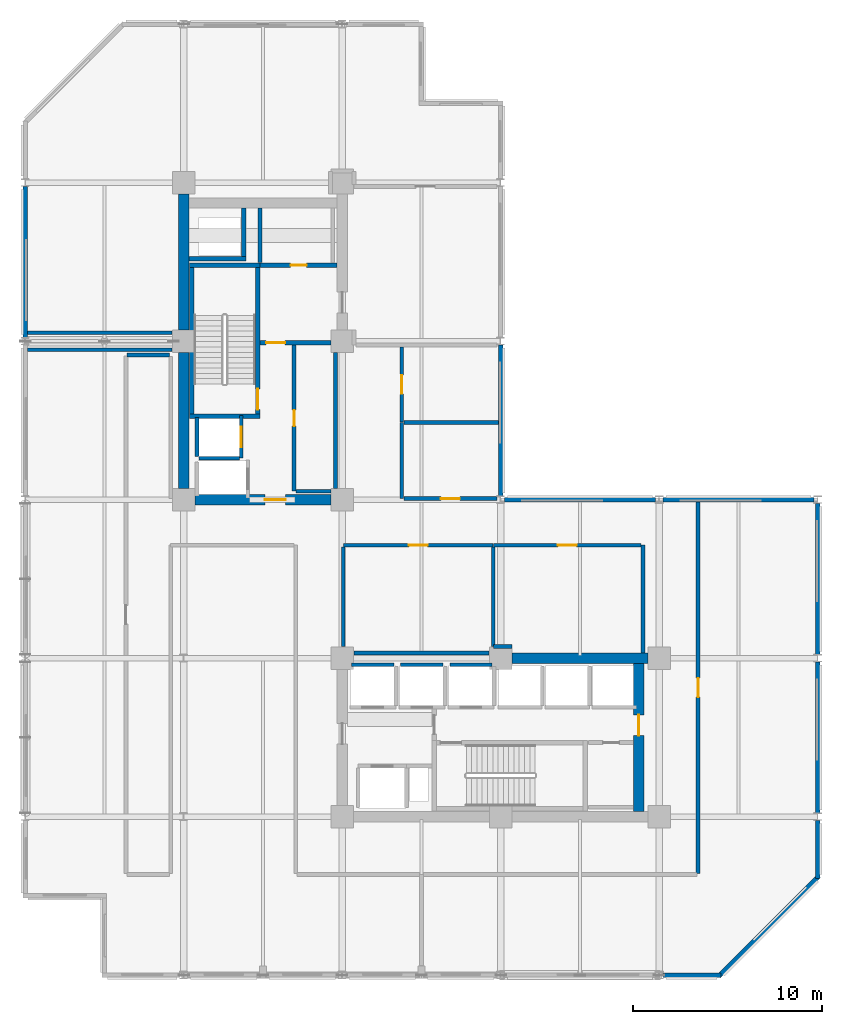
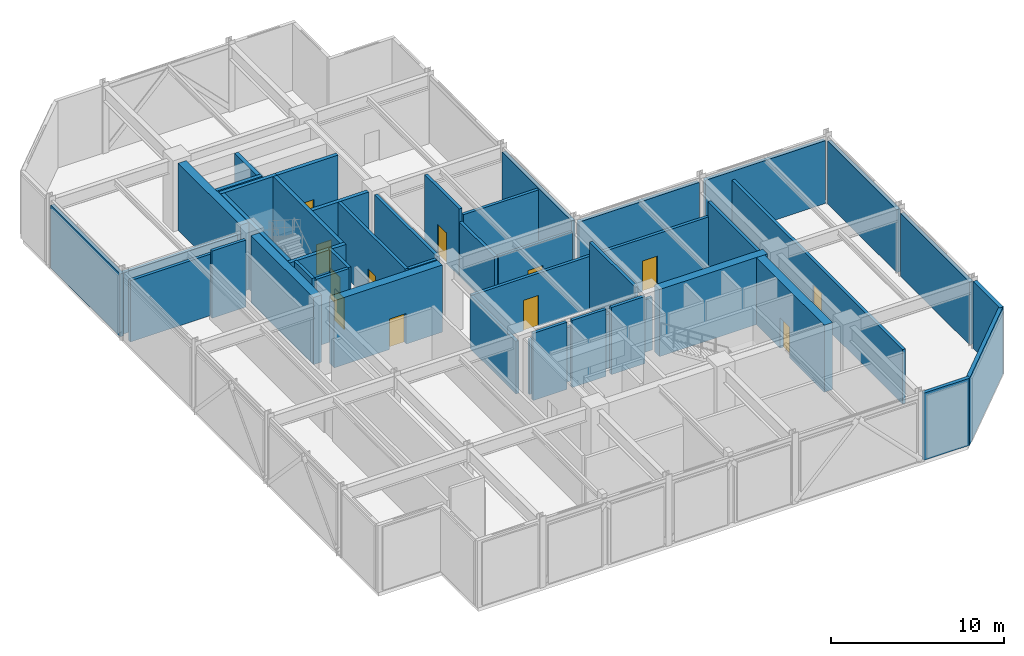
# One storey, part 6 of 10: 47 walls, 12 doors, 12 openings.
"""IFC4 building model written with IfcOpenShell, lengths in metres."""

from ifc_helpers import new_model, si_unit, direction, frame, frame_2d, origin, place, context, subcontext, project, spatial, rectangle, extrude, material, layer, layer_set, type_object, element, fill, save


model = new_model("IFC4")

# Units and contexts
model_context = context("Model", 3, precision=1e-05, world=origin(), true_north=direction((0.0, 1.0)))
body_context = subcontext(model_context, "Body", "Model", "MODEL_VIEW")
ifc_project = project(units=[si_unit("LENGTHUNIT", "METRE"), si_unit("AREAUNIT", "SQUARE_METRE"), si_unit("VOLUMEUNIT", "CUBIC_METRE"), si_unit("PLANEANGLEUNIT", "RADIAN"), si_unit("MASSUNIT", "GRAM", prefix="KILO")], contexts=[model_context])

# Site, building, storey
site_placement = place(None, origin())
site = spatial("IfcSite", under=ifc_project, at=site_placement, CompositionType="ELEMENT")
building_placement = place(site_placement, origin())
building = spatial("IfcBuilding", under=site, at=building_placement, Name="Nerrivon Quay Data Exchange", CompositionType="ELEMENT")
storey_placement = place(building_placement, frame((0.0, 0.0, 162.300048828125)))
storey = spatial("IfcBuildingStorey", under=building, at=storey_placement, Name="L38", CompositionType="ELEMENT", Elevation=162.300048828125)

# Walls
ifc_material_1 = material(Name="Architectural terracotta precast concrete N50 (50 MPa)", Category="masonry")
ifc_layer_1 = layer(ifc_material_1, 0.239990234375)
ifc_layer_set_1 = layer_set([ifc_layer_1], Name="Architectural terracotta precast concrete N50 (50 MPa)")
wall_type_1 = type_object("IfcWallType", Name="EW-PREC-240", PredefinedType="STANDARD", material=ifc_layer_set_1)
wall_1_placement = place(storey_placement, frame((42.052734375, 5.252685546875, 0.0), z_axis=(0.0, 0.0, 1.0), x_axis=(-0.707106781187, -0.707106781187, 0.0)))
element("IfcWall", 1, at=wall_1_placement, inside=storey, type_object=wall_type_1, Name="L38 Plant Enclosure Wall 1", PredefinedType="STANDARD", context=body_context, shape_type="SweptSolid", body=[
    extrude(rectangle(XDim=7.5029296875, YDim=0.239990234375, at=frame_2d((3.75146484375, 0.0))), origin(), (0.0, 0.0, 1.0), 4.724853515625),
])
wall_2_placement = place(storey_placement, frame((36.874755859375, 0.0, 0.0), z_axis=(0.0, 0.0, 1.0), x_axis=(-1.0, 0.0, 0.0)))
element("IfcWall", 2, at=wall_2_placement, inside=storey, type_object=wall_type_1, Name="L38 Plant Enclosure Wall 2", PredefinedType="STANDARD", context=body_context, shape_type="SweptSolid", body=[
    extrude(rectangle(XDim=3.07470703125, YDim=0.239990234375, at=frame_2d((1.537353515625, 0.0))), origin(), (0.0, 0.0, 1.0), 4.724853515625),
])
for number, where, z_axis, x_axis, name in (
    (3, (0.0, 33.800048828125, 0.0), (0.0, 0.0, 1.0), (0.0, 1.0, 0.0), "L38 Plant Enclosure Wall 15"),
    (4, (25.199951171875, 33.39990234375, 0.0), (0.0, 0.0, 1.0), (0.0, -1.0, 0.0), "L38 Plant Enclosure Wall 25"),
    (5, (25.39990234375, 25.199951171875, 0.0), (0.0, 0.0, 1.0), (1.0, 0.0, 0.0), "L38 Plant Enclosure Wall 26"),
    (6, (33.800048828125, 25.199951171875, 0.0), (0.0, 0.0, 1.0), (1.0, 0.0, 0.0), "L38 Plant Enclosure Wall 27"),
    (7, (42.0, 25.0, 0.0), (0.0, 0.0, 1.0), (0.0, -1.0, 0.0), "L38 Plant Enclosure Wall 28"),
    (8, (42.0, 16.60009765625, 0.0), (0.0, 0.0, 1.0), (0.0, -1.0, 0.0), "L38 Plant Enclosure Wall 29"),
):
    element("IfcWall", number, at=place(storey_placement, frame(where, z_axis=z_axis, x_axis=x_axis)), inside=storey, type_object=wall_type_1, Name=name, PredefinedType="STANDARD", context=body_context, shape_type="SweptSolid", body=[
        extrude(rectangle(XDim=8.0, YDim=0.239990234375, at=frame_2d((4.0, 0.0))), origin(), (0.0, 0.0, 1.0), 4.425048828125),
    ])
wall_3_placement = place(storey_placement, frame((42.0, 8.199951171875, 0.0), z_axis=(0.0, 0.0, 1.0), x_axis=(0.0, -1.0, 0.0)))
element("IfcWall", 9, at=wall_3_placement, inside=storey, type_object=wall_type_1, Name="L38 Plant Enclosure Wall 30", PredefinedType="STANDARD", context=body_context, shape_type="SweptSolid", body=[
    extrude(rectangle(XDim=3.07470703125, YDim=0.239990234375, at=frame_2d((1.537353515625, 0.0))), origin(), (0.0, 0.0, 1.0), 4.724853515625),
])
ifc_material_2 = material(Name="Concrete S65 (65 MPa)", Category="concrete")
ifc_layer_2 = layer(ifc_material_2, 0.550048828125)
ifc_layer_set_2 = layer_set([ifc_layer_2], Name="Concrete S65 (65 MPa)")
wall_type_2 = type_object("IfcWallType", Name="WALL-CW-700", PredefinedType="SHEAR", material=ifc_layer_set_2)
for number, where, z_axis, x_axis, name in (
    (10, (8.39990234375, 25.800048828125, 0.0), (0.0, 0.0, 1.0), (0.0, 1.0, 0.0), "L38 West Split-Core Shear Wall WCW-W1"),
    (11, (8.39990234375, 34.199951171875, 0.0), (0.0, 0.0, 1.0), (0.0, 1.0, 0.0), "L38 West Split-Core Shear Wall WCW-W2"),
):
    element("IfcWall", number, at=place(storey_placement, frame(where, z_axis=z_axis, x_axis=x_axis)), inside=storey, type_object=wall_type_2, Name=name, PredefinedType="SHEAR", context=body_context, shape_type="SweptSolid", body=[
        extrude(rectangle(XDim=7.199951171875, YDim=0.550048828125, at=frame_2d((3.60009765625, 0.0))), origin(), (0.0, 0.0, 1.0), 4.724853515625),
    ])

# Wall, opening, door
wall_4_placement = place(storey_placement, frame((9.0, 25.199951171875, 0.0), z_axis=(0.0, 0.0, 1.0), x_axis=(1.0, 0.0, 0.0)))
wall_4 = element("IfcWall", 12, at=wall_4_placement, inside=storey, type_object=wall_type_2, Name="L38 West Split-Core Shear Wall WCW-S1", PredefinedType="SHEAR", context=body_context, shape_type="SweptSolid", body=[
    extrude(rectangle(XDim=7.199951171875, YDim=0.550048828125, at=frame_2d((3.60009765625, 0.0))), origin(), (0.0, 0.0, 1.0), 4.724853515625),
])
opening_1_placement = place(wall_4_placement, frame((3.699951171875, 0.0, 0.0)))
opening_1 = element("IfcOpeningElement", 13, at=opening_1_placement, cuts=wall_4, Name="Opening FD-120", PredefinedType="OPENING", context=body_context, shape_type="SweptSolid", body=[
    extrude(rectangle(XDim=1.10009765625, YDim=2.14990234375, at=frame_2d((0.550048828125, 1.074951171875))), frame((0.0, 0.284912109375, 0.0), z_axis=(0.0, -1.0, 0.0), x_axis=(1.0, 0.0, 0.0)), (0.0, 0.0, 1.0), 0.570068359375),
])
ifc_material_3 = material(Name="Powder-coated galvanized steel sheet", Category="steel")
door_type_1 = type_object("IfcDoorType", Name="DR-FD120-1100", OperationType="NOTDEFINED", PredefinedType="DOOR", material=ifc_material_3)
door_1_placement = place(opening_1_placement, origin())
door_1 = element("IfcDoor", 14, at=door_1_placement, inside=storey, type_object=door_type_1, Name="L38 West Core Lobby Fire Door", OperationType="SINGLE_SWING_LEFT", OverallHeight=2.14990234375, OverallWidth=1.10009765625, PredefinedType="DOOR", context=body_context, shape_type="SweptSolid", body=[
    extrude(rectangle(XDim=1.10009765625, YDim=2.14990234375, at=frame_2d((0.550048828125, 1.074951171875))), frame((0.0, 0.02490234375, 0.0), z_axis=(0.0, -1.0, 0.0), x_axis=(1.0, 0.0, 0.0)), (0.0, 0.0, 1.0), 0.050048828125),
])
fill(opening_1, door_1)

wall_5_placement = place(storey_placement, frame((32.52490234375, 8.675048828125, 0.0), z_axis=(0.0, 0.0, 1.0), x_axis=(0.0, 1.0, 0.0)))
wall_5 = element("IfcWall", 15, at=wall_5_placement, inside=storey, type_object=wall_type_2, Name="L38 East Split-Core Shear Wall ECW-E1", PredefinedType="SHEAR", context=body_context, shape_type="SweptSolid", body=[
    extrude(rectangle(XDim=7.849853515625, YDim=0.550048828125, at=frame_2d((3.9248046875, 0.0))), origin(), (0.0, 0.0, 1.0), 4.724853515625),
])
opening_2_placement = place(wall_5_placement, frame((4.02490234375, 0.0, 0.0)))
opening_2 = element("IfcOpeningElement", 16, at=opening_2_placement, cuts=wall_5, Name="Opening FD-120", PredefinedType="OPENING", context=body_context, shape_type="SweptSolid", body=[
    extrude(rectangle(XDim=1.10009765625, YDim=2.14990234375, at=frame_2d((0.550048828125, 1.074951171875))), frame((0.0, 0.284912109375, 0.0), z_axis=(0.0, -1.0, 0.0), x_axis=(1.0, 0.0, 0.0)), (0.0, 0.0, 1.0), 0.570068359375),
])
door_2_placement = place(opening_2_placement, origin())
door_2 = element("IfcDoor", 17, at=door_2_placement, inside=storey, type_object=door_type_1, Name="L38 East Core Lobby Fire Door", OperationType="SINGLE_SWING_RIGHT", OverallHeight=2.14990234375, OverallWidth=1.10009765625, PredefinedType="DOOR", context=body_context, shape_type="SweptSolid", body=[
    extrude(rectangle(XDim=1.10009765625, YDim=2.14990234375, at=frame_2d((0.550048828125, 1.074951171875))), frame((0.0, 0.02490234375, 0.0), z_axis=(0.0, -1.0, 0.0), x_axis=(1.0, 0.0, 0.0)), (0.0, 0.0, 1.0), 0.050048828125),
])
fill(opening_2, door_2)

# Wall
wall_6_placement = place(storey_placement, frame((25.800048828125, 16.800048828125, 0.0), z_axis=(0.0, 0.0, 1.0), x_axis=(1.0, 0.0, 0.0)))
element("IfcWall", 18, at=wall_6_placement, inside=storey, type_object=wall_type_2, Name="L38 East Split-Core Shear Wall ECW-N1", PredefinedType="SHEAR", context=body_context, shape_type="SweptSolid", body=[
    extrude(rectangle(XDim=7.199951171875, YDim=0.550048828125, at=frame_2d((3.60009765625, 0.0))), origin(), (0.0, 0.0, 1.0), 4.724853515625),
])

# Wall, opening, door
ifc_material_4 = material(Name="Gypsum plasterboard on cold-formed framing", Category="gypsum")
ifc_layer_3 = layer(ifc_material_4, 0.199951171875)
ifc_layer_set_3 = layer_set([ifc_layer_3], Name="Gypsum plasterboard on cold-formed framing")
wall_type_3 = type_object("IfcWallType", Name="WALL-FW-200", PredefinedType="PARTITIONING", material=ifc_layer_set_3)
wall_7_placement = place(storey_placement, frame((11.449951171875, 27.39990234375, 0.0), z_axis=(0.0, 0.0, 1.0), x_axis=(0.0, 1.0, 0.0)))
wall_7 = element("IfcWall", 19, at=wall_7_placement, inside=storey, type_object=wall_type_3, Name="L38 Lift Front Wall FFL-1", PredefinedType="PARTITIONING", context=body_context, shape_type="SweptSolid", body=[
    extrude(rectangle(XDim=2.25, YDim=0.199951171875, at=frame_2d((1.125, 0.0))), origin(), (0.0, 0.0, 1.0), 4.724853515625),
])
opening_3_placement = place(wall_7_placement, frame((0.574951171875, 0.0, 0.0)))
opening_3 = element("IfcOpeningElement", 20, at=opening_3_placement, cuts=wall_7, Name="Opening LD-120", PredefinedType="OPENING", context=body_context, shape_type="SweptSolid", body=[
    extrude(rectangle(XDim=1.10009765625, YDim=2.199951171875, at=frame_2d((0.550048828125, 1.10009765625))), frame((0.0, 0.10986328125, 0.0), z_axis=(0.0, -1.0, 0.0), x_axis=(1.0, 0.0, 0.0)), (0.0, 0.0, 1.0), 0.219970703125),
])
door_type_2 = type_object("IfcDoorType", Name="DR-LIFT-LD120", OperationType="DOUBLE_DOOR_SLIDING", PredefinedType="DOOR", material=ifc_material_3)
door_3_placement = place(opening_3_placement, origin())
door_3 = element("IfcDoor", 21, at=door_3_placement, inside=storey, type_object=door_type_2, Name="L38 Lift Landing Sliding Door FFL-1", OperationType="DOUBLE_DOOR_SLIDING", OverallHeight=2.199951171875, OverallWidth=1.10009765625, PredefinedType="DOOR", context=body_context, shape_type="SweptSolid", body=[
    extrude(rectangle(XDim=1.10009765625, YDim=2.199951171875, at=frame_2d((0.550048828125, 1.10009765625))), frame((0.0, 0.02490234375, 0.0), z_axis=(0.0, -1.0, 0.0), x_axis=(1.0, 0.0, 0.0)), (0.0, 0.0, 1.0), 0.050048828125),
])
fill(opening_3, door_3)

# Walls
wall_8_placement = place(storey_placement, frame((9.10009765625, 27.5, 0.0), z_axis=(0.0, 0.0, 1.0), x_axis=(0.0, 1.0, 0.0)))
element("IfcWall", 22, at=wall_8_placement, inside=storey, type_object=wall_type_3, Name="L38 Lift Shaft Wall FFL-1 WEST", PredefinedType="PARTITIONING", context=body_context, shape_type="SweptSolid", body=[
    extrude(rectangle(XDim=2.050048828125, YDim=0.199951171875, at=frame_2d((1.02490234375, 0.0))), origin(), (0.0, 0.0, 1.0), 4.724853515625),
])
wall_9_placement = place(storey_placement, frame((9.199951171875, 27.39990234375, 0.0), z_axis=(0.0, 0.0, 1.0), x_axis=(1.0, 0.0, 0.0)))
element("IfcWall", 23, at=wall_9_placement, inside=storey, type_object=wall_type_3, Name="L38 Lift Shaft Wall FFL-1 SOUTH", PredefinedType="PARTITIONING", context=body_context, shape_type="SweptSolid", body=[
    extrude(rectangle(XDim=2.150146484375, YDim=0.199951171875, at=frame_2d((1.0751953125, 0.0))), origin(), (0.0, 0.0, 1.0), 4.724853515625),
])
for number, where, z_axis, x_axis, name in (
    (24, (17.300048828125, 16.449951171875, 0.0), (0.0, 0.0, 1.0), (1.0, 0.0, 0.0), "L38 Lift Shaft Wall PL4 NORTH"),
    (25, (19.89990234375, 16.449951171875, 0.0), (0.0, 0.0, 1.0), (1.0, 0.0, 0.0), "L38 Lift Shaft Wall PL5 NORTH"),
    (26, (22.5, 16.449951171875, 0.0), (0.0, 0.0, 1.0), (1.0, 0.0, 0.0), "L38 Lift Shaft Wall PL6 NORTH"),
):
    element("IfcWall", number, at=place(storey_placement, frame(where, z_axis=z_axis, x_axis=x_axis)), inside=storey, type_object=wall_type_3, Name=name, PredefinedType="PARTITIONING", context=body_context, shape_type="SweptSolid", body=[
        extrude(rectangle(XDim=2.25, YDim=0.199951171875, at=frame_2d((1.125, 0.0))), origin(), (0.0, 0.0, 1.0), 4.724853515625),
    ])
wall_10_placement = place(storey_placement, frame((16.449951171875, 25.804931640625, 0.0), z_axis=(0.0, 0.0, 1.0), x_axis=(0.0, 1.0, 0.0)))
element("IfcWall", 27, at=wall_10_placement, inside=storey, type_object=wall_type_3, Name="L38 Partition Telemetry Hub Closet", PredefinedType="PARTITIONING", context=body_context, shape_type="SweptSolid", body=[
    extrude(rectangle(XDim=7.190185546875, YDim=0.199951171875, at=frame_2d((3.59521484375, 0.0))), origin(), (0.0, 0.0, 1.0), 4.724853515625),
])

# Wall, opening, door
wall_11_placement = place(storey_placement, frame((14.25, 33.389892578125, 0.0), z_axis=(0.0, 0.0, 1.0), x_axis=(0.0, -1.0, 0.0)))
wall_11 = element("IfcWall", 28, at=wall_11_placement, inside=storey, type_object=wall_type_3, Name="L38 Partition Telemetry Hub Closet", PredefinedType="PARTITIONING", context=body_context, shape_type="SweptSolid", body=[
    extrude(rectangle(XDim=7.739990234375, YDim=0.199951171875, at=frame_2d((3.8701171875, 0.0))), origin(), (0.0, 0.0, 1.0), 4.724853515625),
])
opening_4_placement = place(wall_11_placement, frame((3.445068359375, 0.0, 0.0)))
opening_4 = element("IfcOpeningElement", 29, at=opening_4_placement, cuts=wall_11, Name="Opening FD-60S", PredefinedType="OPENING", context=body_context, shape_type="SweptSolid", body=[
    extrude(rectangle(XDim=0.85009765625, YDim=2.14990234375, at=frame_2d((0.425048828125, 1.074951171875))), frame((0.0, 0.10986328125, 0.0), z_axis=(0.0, -1.0, 0.0), x_axis=(1.0, 0.0, 0.0)), (0.0, 0.0, 1.0), 0.219970703125),
])
ifc_material_5 = material(Name="Engineered hardwood timber", Category="wood")
door_type_3 = type_object("IfcDoorType", Name="DR-FD60-850", OperationType="NOTDEFINED", PredefinedType="DOOR", material=ifc_material_5)
door_4_placement = place(opening_4_placement, origin())
door_4 = element("IfcDoor", 30, at=door_4_placement, inside=storey, type_object=door_type_3, Name="L38 Door Telemetry Hub Closet", OperationType="SINGLE_SWING_RIGHT", OverallHeight=2.14990234375, OverallWidth=0.85009765625, PredefinedType="DOOR", context=body_context, shape_type="SweptSolid", body=[
    extrude(rectangle(XDim=0.85009765625, YDim=2.14990234375, at=frame_2d((0.425048828125, 1.074951171875))), frame((0.0, 0.02490234375, 0.0), z_axis=(0.0, -1.0, 0.0), x_axis=(1.0, 0.0, 0.0)), (0.0, 0.0, 1.0), 0.050048828125),
])
fill(opening_4, door_4)

# Walls
wall_12_placement = place(storey_placement, frame((14.35400390625, 25.64990234375, 0.0), z_axis=(0.0, 0.0, 1.0), x_axis=(1.0, 0.0, 0.0)))
element("IfcWall", 31, at=wall_12_placement, inside=storey, type_object=wall_type_3, Name="L38 Partition Telemetry Hub Closet", PredefinedType="PARTITIONING", context=body_context, shape_type="SweptSolid", body=[
    extrude(rectangle(XDim=1.841064453125, YDim=0.199951171875, at=frame_2d((0.92041015625, 0.0))), origin(), (0.0, 0.0, 1.0), 4.724853515625),
])
wall_13_placement = place(storey_placement, frame((12.449951171875, 40.64599609375, 0.0), z_axis=(0.0, 0.0, 1.0), x_axis=(0.0, -1.0, 0.0)))
element("IfcWall", 32, at=wall_13_placement, inside=storey, type_object=wall_type_3, Name="L38 Partition Electrical Switchboard Closet", PredefinedType="PARTITIONING", context=body_context, shape_type="SweptSolid", body=[
    extrude(rectangle(XDim=2.865966796875, YDim=0.199951171875, at=frame_2d((1.43310546875, 0.0))), origin(), (0.0, 0.0, 1.0), 3.625),
])
wall_14_placement = place(storey_placement, frame((5.39990234375, 32.860107421875, 0.0), z_axis=(0.0, 0.0, 1.0), x_axis=(1.0, 0.0, 0.0)))
element("IfcWall", 33, at=wall_14_placement, inside=storey, type_object=wall_type_3, Name="L38 Partition Standby Generator Hall", PredefinedType="PARTITIONING", context=body_context, shape_type="SweptSolid", body=[
    extrude(rectangle(XDim=2.25, YDim=0.199951171875, at=frame_2d((1.125, 0.0))), origin(), (0.0, 0.0, 1.0), 4.724853515625),
])
for number, where, z_axis, x_axis, name in (
    (34, (7.780029296875, 33.14990234375, 0.0), (0.0, 0.0, 1.0), (-1.0, 0.0, 0.0), "L38 Partition Standby Generator Hall"),
    (35, (0.1240234375, 34.050048828125, 0.0), (0.0, 0.0, 1.0), (1.0, 0.0, 0.0), "L38 Partition Chiller Plant Room"),
):
    element("IfcWall", number, at=place(storey_placement, frame(where, z_axis=z_axis, x_axis=x_axis)), inside=storey, type_object=wall_type_3, Name=name, PredefinedType="PARTITIONING", context=body_context, shape_type="SweptSolid", body=[
        extrude(rectangle(XDim=7.656005859375, YDim=0.199951171875, at=frame_2d((3.828125, 0.0))), origin(), (0.0, 0.0, 1.0), 4.322021484375),
    ])

# Wall, opening, door
wall_15_placement = place(storey_placement, frame((35.659912109375, 25.075927734375, 0.0), z_axis=(0.0, 0.0, 1.0), x_axis=(0.0, -1.0, 0.0)))
wall_15 = element("IfcWall", 36, at=wall_15_placement, inside=storey, type_object=wall_type_3, Name="L38 Partition Primary AHU Ventilation Room", PredefinedType="PARTITIONING", context=body_context, shape_type="SweptSolid", body=[
    extrude(rectangle(XDim=19.676025390625, YDim=0.199951171875, at=frame_2d((9.837890625, 0.0))), origin(), (0.0, 0.0, 1.0), 3.824951171875),
])
opening_5_placement = place(wall_15_placement, frame((9.337890625, 0.0, 0.0)))
opening_5 = element("IfcOpeningElement", 37, at=opening_5_placement, cuts=wall_15, Name="Opening FD-60", PredefinedType="OPENING", context=body_context, shape_type="SweptSolid", body=[
    extrude(rectangle(XDim=1.0, YDim=2.14990234375, at=frame_2d((0.5, 1.074951171875))), frame((0.0, 0.10986328125, 0.0), z_axis=(0.0, -1.0, 0.0), x_axis=(1.0, 0.0, 0.0)), (0.0, 0.0, 1.0), 0.219970703125),
])
door_type_4 = type_object("IfcDoorType", Name="DR-FD60-1000", OperationType="NOTDEFINED", PredefinedType="DOOR", material=ifc_material_5)
door_5_placement = place(opening_5_placement, origin())
door_5 = element("IfcDoor", 38, at=door_5_placement, inside=storey, type_object=door_type_4, Name="L38 Door Primary AHU Ventilation Room", OperationType="SINGLE_SWING_LEFT", OverallHeight=2.14990234375, OverallWidth=1.0, PredefinedType="DOOR", context=body_context, shape_type="SweptSolid", body=[
    extrude(rectangle(XDim=1.0, YDim=2.14990234375, at=frame_2d((0.5, 1.074951171875))), frame((0.0, 0.02490234375, 0.0), z_axis=(0.0, -1.0, 0.0), x_axis=(1.0, 0.0, 0.0)), (0.0, 0.0, 1.0), 0.050048828125),
])
fill(opening_5, door_5)

wall_16_placement = place(storey_placement, frame((24.800048828125, 22.7900390625, 0.0), z_axis=(0.0, 0.0, 1.0), x_axis=(-1.0, 0.0, 0.0)))
wall_16 = element("IfcWall", 39, at=wall_16_placement, inside=storey, type_object=wall_type_3, Name="L38 Partition Fire & Chilled Water Pump Room", PredefinedType="PARTITIONING", context=body_context, shape_type="SweptSolid", body=[
    extrude(rectangle(XDim=7.93994140625, YDim=0.199951171875, at=frame_2d((3.969970703125, 0.0))), origin(), (0.0, 0.0, 1.0), 3.708984375),
])
opening_6_placement = place(wall_16_placement, frame((3.469970703125, 0.0, 0.0)))
opening_6 = element("IfcOpeningElement", 40, at=opening_6_placement, cuts=wall_16, Name="Opening FD-60", PredefinedType="OPENING", context=body_context, shape_type="SweptSolid", body=[
    extrude(rectangle(XDim=1.0, YDim=2.14990234375, at=frame_2d((0.5, 1.074951171875))), frame((0.0, 0.10986328125, 0.0), z_axis=(0.0, -1.0, 0.0), x_axis=(1.0, 0.0, 0.0)), (0.0, 0.0, 1.0), 0.219970703125),
])
door_6_placement = place(opening_6_placement, origin())
door_6 = element("IfcDoor", 41, at=door_6_placement, inside=storey, type_object=door_type_4, Name="L38 Door Fire & Chilled Water Pump Room", OperationType="SINGLE_SWING_RIGHT", OverallHeight=2.14990234375, OverallWidth=1.0, PredefinedType="DOOR", context=body_context, shape_type="SweptSolid", body=[
    extrude(rectangle(XDim=1.0, YDim=2.14990234375, at=frame_2d((0.5, 1.074951171875))), frame((0.0, 0.02490234375, 0.0), z_axis=(0.0, -1.0, 0.0), x_axis=(1.0, 0.0, 0.0)), (0.0, 0.0, 1.0), 0.050048828125),
])
fill(opening_6, door_6)

# Walls
wall_17_placement = place(storey_placement, frame((16.860107421875, 22.68603515625, 0.0), z_axis=(0.0, 0.0, 1.0), x_axis=(0.0, -1.0, 0.0)))
element("IfcWall", 42, at=wall_17_placement, inside=storey, type_object=wall_type_3, Name="L38 Partition Fire & Chilled Water Pump Room", PredefinedType="PARTITIONING", context=body_context, shape_type="SweptSolid", body=[
    extrude(rectangle(XDim=5.26611328125, YDim=0.199951171875, at=frame_2d((2.633056640625, 0.0))), origin(), (0.0, 0.0, 1.0), 3.708984375),
])
wall_18_placement = place(storey_placement, frame((17.419921875, 17.074951171875, 0.0), z_axis=(0.0, 0.0, 1.0), x_axis=(1.0, 0.0, 0.0)))
element("IfcWall", 43, at=wall_18_placement, inside=storey, type_object=wall_type_3, Name="L38 Partition Fire & Chilled Water Pump Room", PredefinedType="PARTITIONING", context=body_context, shape_type="SweptSolid", body=[
    extrude(rectangle(XDim=7.16015625, YDim=0.199951171875, at=frame_2d((3.580078125, 0.0))), origin(), (0.0, 0.0, 1.0), 3.824951171875),
])
wall_19_placement = place(storey_placement, frame((24.800048828125, 17.419921875, 0.0), z_axis=(0.0, 0.0, 1.0), x_axis=(0.0, 1.0, 0.0)))
element("IfcWall", 44, at=wall_19_placement, inside=storey, type_object=wall_type_3, Name="L38 Partition Fire & Chilled Water Pump Room", PredefinedType="PARTITIONING", context=body_context, shape_type="SweptSolid", body=[
    extrude(rectangle(XDim=5.26611328125, YDim=0.199951171875, at=frame_2d((2.633056640625, 0.0))), origin(), (0.0, 0.0, 1.0), 4.724853515625),
])
wall_20_placement = place(storey_placement, frame((32.739990234375, 17.0791015625, 0.0), z_axis=(0.0, 0.0, 1.0), x_axis=(0.0, 1.0, 0.0)))
element("IfcWall", 45, at=wall_20_placement, inside=storey, type_object=wall_type_3, Name="L38 Partition HV Transformer Switchroom", PredefinedType="PARTITIONING", context=body_context, shape_type="SweptSolid", body=[
    extrude(rectangle(XDim=5.7109375, YDim=0.199951171875, at=frame_2d((2.85546875, 0.0))), origin(), (0.0, 0.0, 1.0), 4.724853515625),
])

# Wall, opening, door
wall_21_placement = place(storey_placement, frame((32.635986328125, 22.7900390625, 0.0), z_axis=(0.0, 0.0, 1.0), x_axis=(-1.0, 0.0, 0.0)))
wall_21 = element("IfcWall", 46, at=wall_21_placement, inside=storey, type_object=wall_type_3, Name="L38 Partition HV Transformer Switchroom", PredefinedType="PARTITIONING", context=body_context, shape_type="SweptSolid", body=[
    extrude(rectangle(XDim=7.81591796875, YDim=0.199951171875, at=frame_2d((3.907958984375, 0.0))), origin(), (0.0, 0.0, 1.0), 3.708984375),
])
opening_7_placement = place(wall_21_placement, frame((3.407958984375, 0.0, 0.0)))
opening_7 = element("IfcOpeningElement", 47, at=opening_7_placement, cuts=wall_21, Name="Opening FD-60", PredefinedType="OPENING", context=body_context, shape_type="SweptSolid", body=[
    extrude(rectangle(XDim=1.0, YDim=2.14990234375, at=frame_2d((0.5, 1.074951171875))), frame((0.0, 0.10986328125, 0.0), z_axis=(0.0, -1.0, 0.0), x_axis=(1.0, 0.0, 0.0)), (0.0, 0.0, 1.0), 0.219970703125),
])
door_7_placement = place(opening_7_placement, origin())
door_7 = element("IfcDoor", 48, at=door_7_placement, inside=storey, type_object=door_type_4, Name="L38 Door HV Transformer Switchroom", OperationType="SINGLE_SWING_LEFT", OverallHeight=2.14990234375, OverallWidth=1.0, PredefinedType="DOOR", context=body_context, shape_type="SweptSolid", body=[
    extrude(rectangle(XDim=1.0, YDim=2.14990234375, at=frame_2d((0.5, 1.074951171875))), frame((0.0, 0.02490234375, 0.0), z_axis=(0.0, -1.0, 0.0), x_axis=(1.0, 0.0, 0.0)), (0.0, 0.0, 1.0), 0.050048828125),
])
fill(opening_7, door_7)

# Walls
wall_22_placement = place(storey_placement, frame((24.820068359375, 17.419921875, 0.0), z_axis=(0.0, 0.0, 1.0), x_axis=(0.999999724019, -0.000742941845, 0.0)))
element("IfcWall", 49, at=wall_22_placement, inside=storey, type_object=wall_type_3, Name="L38 Partition HV Transformer Switchroom", PredefinedType="PARTITIONING", context=body_context, shape_type="SweptSolid", body=[
    extrude(rectangle(XDim=0.98583984375, YDim=0.199951171875, at=frame_2d((0.492919921875, 0.0))), origin(), (0.0, 0.0, 1.0), 3.708984375),
])
wall_23_placement = place(storey_placement, frame((19.9599609375, 29.2900390625, 0.0), z_axis=(0.0, 0.0, 1.0), x_axis=(0.0, -1.0, 0.0)))
element("IfcWall", 50, at=wall_23_placement, inside=storey, type_object=wall_type_3, Name="L38 Partition Standby Generator Hall 6", PredefinedType="PARTITIONING", context=body_context, shape_type="SweptSolid", body=[
    extrude(rectangle(XDim=4.030029296875, YDim=0.199951171875, at=frame_2d((2.01513671875, 0.0))), origin(), (0.0, 0.0, 1.0), 3.824951171875),
])

# Wall, opening, door
wall_24_placement = place(storey_placement, frame((20.06396484375, 25.260009765625, 0.0), z_axis=(0.0, 0.0, 1.0), x_axis=(1.0, 0.0, 0.0)))
wall_24 = element("IfcWall", 51, at=wall_24_placement, inside=storey, type_object=wall_type_3, Name="L38 Partition Standby Generator Hall 6", PredefinedType="PARTITIONING", context=body_context, shape_type="SweptSolid", body=[
    extrude(rectangle(XDim=4.93115234375, YDim=0.199951171875, at=frame_2d((2.465576171875, 0.0))), origin(), (0.0, 0.0, 1.0), 3.824951171875),
])
opening_8_placement = place(wall_24_placement, frame((1.965576171875, 0.0, 0.0)))
opening_8 = element("IfcOpeningElement", 52, at=opening_8_placement, cuts=wall_24, Name="Opening FD-60", PredefinedType="OPENING", context=body_context, shape_type="SweptSolid", body=[
    extrude(rectangle(XDim=1.0, YDim=2.14990234375, at=frame_2d((0.5, 1.074951171875))), frame((0.0, 0.10986328125, 0.0), z_axis=(0.0, -1.0, 0.0), x_axis=(1.0, 0.0, 0.0)), (0.0, 0.0, 1.0), 0.219970703125),
])
door_8_placement = place(opening_8_placement, origin())
door_8 = element("IfcDoor", 53, at=door_8_placement, inside=storey, type_object=door_type_4, Name="L38 Door Standby Generator Hall 6", OperationType="SINGLE_SWING_RIGHT", OverallHeight=2.14990234375, OverallWidth=1.0, PredefinedType="DOOR", context=body_context, shape_type="SweptSolid", body=[
    extrude(rectangle(XDim=1.0, YDim=2.14990234375, at=frame_2d((0.5, 1.074951171875))), frame((0.0, 0.02490234375, 0.0), z_axis=(0.0, -1.0, 0.0), x_axis=(1.0, 0.0, 0.0)), (0.0, 0.0, 1.0), 0.050048828125),
])
fill(opening_8, door_8)

# Wall
wall_25_placement = place(storey_placement, frame((25.075927734375, 29.2900390625, 0.0), z_axis=(0.0, 0.0, 1.0), x_axis=(-1.0, 0.0, 0.0)))
element("IfcWall", 54, at=wall_25_placement, inside=storey, type_object=wall_type_3, Name="L38 Partition Standby Generator Hall 6", PredefinedType="PARTITIONING", context=body_context, shape_type="SweptSolid", body=[
    extrude(rectangle(XDim=5.011962890625, YDim=0.199951171875, at=frame_2d((2.505859375, 0.0))), origin(), (0.0, 0.0, 1.0), 4.322021484375),
])

# Wall, opening, door
wall_26_placement = place(storey_placement, frame((19.9599609375, 33.2958984375, 0.0), z_axis=(0.0, 0.0, 1.0), x_axis=(0.0, -1.0, 0.0)))
wall_26 = element("IfcWall", 55, at=wall_26_placement, inside=storey, type_object=wall_type_3, Name="L38 Partition Chiller Plant Room 7", PredefinedType="PARTITIONING", context=body_context, shape_type="SweptSolid", body=[
    extrude(rectangle(XDim=3.98583984375, YDim=0.199951171875, at=frame_2d((1.992919921875, 0.0))), origin(), (0.0, 0.0, 1.0), 4.724853515625),
])
opening_9_placement = place(wall_26_placement, frame((1.492919921875, 0.0, 0.0)))
opening_9 = element("IfcOpeningElement", 56, at=opening_9_placement, cuts=wall_26, Name="Opening FD-60", PredefinedType="OPENING", context=body_context, shape_type="SweptSolid", body=[
    extrude(rectangle(XDim=1.0, YDim=2.14990234375, at=frame_2d((0.5, 1.074951171875))), frame((0.0, 0.10986328125, 0.0), z_axis=(0.0, -1.0, 0.0), x_axis=(1.0, 0.0, 0.0)), (0.0, 0.0, 1.0), 0.219970703125),
])
door_9_placement = place(opening_9_placement, origin())
door_9 = element("IfcDoor", 57, at=door_9_placement, inside=storey, type_object=door_type_4, Name="L38 Door Chiller Plant Room 7", OperationType="SINGLE_SWING_LEFT", OverallHeight=2.14990234375, OverallWidth=1.0, PredefinedType="DOOR", context=body_context, shape_type="SweptSolid", body=[
    extrude(rectangle(XDim=1.0, YDim=2.14990234375, at=frame_2d((0.5, 1.074951171875))), frame((0.0, 0.02490234375, 0.0), z_axis=(0.0, -1.0, 0.0), x_axis=(1.0, 0.0, 0.0)), (0.0, 0.0, 1.0), 0.050048828125),
])
fill(opening_9, door_9)

# Walls
ifc_material_6 = material(Name="Concrete N50 (50 MPa)", Category="concrete")
ifc_layer_4 = layer(ifc_material_6, 0.25)
ifc_layer_set_4 = layer_set([ifc_layer_4], Name="Concrete N50 (50 MPa)")
wall_type_4 = type_object("IfcWallType", Name="WALL-SW-250", PredefinedType="SHEAR", material=ifc_layer_set_4)
for number, where, z_axis, x_axis, name in (
    (58, (12.449951171875, 29.625, 0.0), (0.0, 0.0, 1.0), (-1.0, 0.0, 0.0), "L38 ST01 Structural Stair Core Wall NEAR"),
    (59, (12.449951171875, 37.625, 0.0), (0.0, 0.0, 1.0), (-1.0, 0.0, 0.0), "L38 ST01 Structural Stair Core Wall FAR"),
):
    element("IfcWall", number, at=place(storey_placement, frame(where, z_axis=z_axis, x_axis=x_axis)), inside=storey, type_object=wall_type_4, Name=name, PredefinedType="SHEAR", context=body_context, shape_type="SweptSolid", body=[
        extrude(rectangle(XDim=3.75, YDim=0.25, at=frame_2d((1.875, 0.0))), origin(), (0.0, 0.0, 1.0), 4.724853515625),
    ])

# Wall, opening, door
wall_27_placement = place(storey_placement, frame((12.324951171875, 29.75, 0.0), z_axis=(0.0, 0.0, 1.0), x_axis=(0.0, 1.0, 0.0)))
wall_27 = element("IfcWall", 60, at=wall_27_placement, inside=storey, type_object=wall_type_4, Name="L38 ST01 Structural Stair Core Wall LEFT", PredefinedType="SHEAR", context=body_context, shape_type="SweptSolid", body=[
    extrude(rectangle(XDim=7.75, YDim=0.25, at=frame_2d((3.875, 0.0))), origin(), (0.0, 0.0, 1.0), 4.724853515625),
])
opening_10_placement = place(wall_27_placement, frame((0.219970703125, 0.0, 0.0)))
opening_10 = element("IfcOpeningElement", 61, at=opening_10_placement, cuts=wall_27, Name="Opening FD-120", PredefinedType="OPENING", context=body_context, shape_type="SweptSolid", body=[
    extrude(rectangle(XDim=1.10009765625, YDim=2.14990234375, at=frame_2d((0.550048828125, 1.074951171875))), frame((0.0, 0.135009765625, 0.0), z_axis=(0.0, -1.0, 0.0), x_axis=(1.0, 0.0, 0.0)), (0.0, 0.0, 1.0), 0.27001953125),
])
door_10_placement = place(opening_10_placement, origin())
door_10 = element("IfcDoor", 62, at=door_10_placement, inside=storey, type_object=door_type_1, Name="L38 Protected Stair Door ST01", OperationType="SINGLE_SWING_RIGHT", OverallHeight=2.14990234375, OverallWidth=1.10009765625, PredefinedType="DOOR", context=body_context, shape_type="SweptSolid", body=[
    extrude(rectangle(XDim=1.10009765625, YDim=2.14990234375, at=frame_2d((0.550048828125, 1.074951171875))), frame((0.0, 0.02490234375, 0.0), z_axis=(0.0, -1.0, 0.0), x_axis=(1.0, 0.0, 0.0)), (0.0, 0.0, 1.0), 0.050048828125),
])
fill(opening_10, door_10)

# Walls
wall_28_placement = place(storey_placement, frame((8.824951171875, 29.75, 0.0), z_axis=(0.0, 0.0, 1.0), x_axis=(0.0, 1.0, 0.0)))
element("IfcWall", 63, at=wall_28_placement, inside=storey, type_object=wall_type_4, Name="L38 ST01 Structural Stair Core Wall RIGHT", PredefinedType="SHEAR", context=body_context, shape_type="SweptSolid", body=[
    extrude(rectangle(XDim=7.75, YDim=0.25, at=frame_2d((3.875, 0.0))), origin(), (0.0, 0.0, 1.0), 4.724853515625),
])
wall_29_placement = place(storey_placement, frame((8.675048828125, 37.97509765625, 0.0), z_axis=(0.0, 0.0, 1.0), x_axis=(1.0, 0.0, 0.0)))
element("IfcWall", 64, at=wall_29_placement, inside=storey, type_object=wall_type_4, Name="L38 West Core MEP Riser Shaft Wall S", PredefinedType="SHEAR", context=body_context, shape_type="SweptSolid", body=[
    extrude(rectangle(XDim=3.02490234375, YDim=0.25, at=frame_2d((1.512451171875, 0.0))), origin(), (0.0, 0.0, 1.0), 4.724853515625),
])
wall_30_placement = place(storey_placement, frame((11.574951171875, 38.10009765625, 0.0), z_axis=(0.0, 0.0, 1.0), x_axis=(0.0, 1.0, 0.0)))
element("IfcWall", 65, at=wall_30_placement, inside=storey, type_object=wall_type_4, Name="L38 West Core MEP Riser Shaft Wall E", PredefinedType="SHEAR", context=body_context, shape_type="SweptSolid", body=[
    extrude(rectangle(XDim=2.5498046875, YDim=0.25, at=frame_2d((1.27490234375, 0.0))), origin(), (0.0, 0.0, 1.0), 4.724853515625),
])

# Wall, opening, door
wall_31_placement = place(storey_placement, frame((12.449951171875, 33.52001953125, 0.0), z_axis=(0.0, 0.0, 1.0), x_axis=(1.0, 0.0, 0.0)))
wall_31 = element("IfcWall", 66, at=wall_31_placement, inside=storey, type_object=wall_type_4, Name="L38 West Lobby Smoke-Stop Wall", PredefinedType="SHEAR", context=body_context, shape_type="SweptSolid", body=[
    extrude(rectangle(XDim=3.75, YDim=0.25, at=frame_2d((1.875, 0.0))), origin(), (0.0, 0.0, 1.0), 4.724853515625),
])
opening_11_placement = place(wall_31_placement, frame((0.320068359375, 0.0, 0.0)))
opening_11 = element("IfcOpeningElement", 67, at=opening_11_placement, cuts=wall_31, Name="Opening FD-60", PredefinedType="OPENING", context=body_context, shape_type="SweptSolid", body=[
    extrude(rectangle(XDim=1.0, YDim=2.14990234375, at=frame_2d((0.5, 1.074951171875))), frame((0.0, 0.135009765625, 0.0), z_axis=(0.0, -1.0, 0.0), x_axis=(1.0, 0.0, 0.0)), (0.0, 0.0, 1.0), 0.27001953125),
])
door_11_placement = place(opening_11_placement, origin())
door_11 = element("IfcDoor", 68, at=door_11_placement, inside=storey, type_object=door_type_4, Name="L38 West Firefighting Lobby Fire Door", OperationType="SINGLE_SWING_RIGHT", OverallHeight=2.14990234375, OverallWidth=1.0, PredefinedType="DOOR", context=body_context, shape_type="SweptSolid", body=[
    extrude(rectangle(XDim=1.0, YDim=2.14990234375, at=frame_2d((0.5, 1.074951171875))), frame((0.0, 0.02490234375, 0.0), z_axis=(0.0, -1.0, 0.0), x_axis=(1.0, 0.0, 0.0)), (0.0, 0.0, 1.0), 0.050048828125),
])
fill(opening_11, door_11)

wall_32_placement = place(storey_placement, frame((12.449951171875, 37.625, 0.0), z_axis=(0.0, 0.0, 1.0), x_axis=(1.0, 0.0, 0.0)))
wall_32 = element("IfcWall", 69, at=wall_32_placement, inside=storey, type_object=wall_type_4, Name="L38 West Firefighting Lobby Wall", PredefinedType="SHEAR", context=body_context, shape_type="SweptSolid", body=[
    extrude(rectangle(XDim=4.074951171875, YDim=0.25, at=frame_2d((2.03759765625, 0.0))), origin(), (0.0, 0.0, 1.0), 4.724853515625),
])
opening_12_placement = place(wall_32_placement, frame((1.612548828125, 0.0, 0.0)))
opening_12 = element("IfcOpeningElement", 70, at=opening_12_placement, cuts=wall_32, Name="Opening FD-60S", PredefinedType="OPENING", context=body_context, shape_type="SweptSolid", body=[
    extrude(rectangle(XDim=0.85009765625, YDim=2.14990234375, at=frame_2d((0.425048828125, 1.074951171875))), frame((0.0, 0.135009765625, 0.0), z_axis=(0.0, -1.0, 0.0), x_axis=(1.0, 0.0, 0.0)), (0.0, 0.0, 1.0), 0.27001953125),
])
door_12_placement = place(opening_12_placement, origin())
door_12 = element("IfcDoor", 71, at=door_12_placement, inside=storey, type_object=door_type_3, Name="L38 Door Electrical Switchboard Closet", OperationType="SINGLE_SWING_LEFT", OverallHeight=2.14990234375, OverallWidth=0.85009765625, PredefinedType="DOOR", context=body_context, shape_type="SweptSolid", body=[
    extrude(rectangle(XDim=0.85009765625, YDim=2.14990234375, at=frame_2d((0.425048828125, 1.074951171875))), frame((0.0, 0.02490234375, 0.0), z_axis=(0.0, -1.0, 0.0), x_axis=(1.0, 0.0, 0.0)), (0.0, 0.0, 1.0), 0.050048828125),
])
fill(opening_12, door_12)

save(model, "model.ifc")
